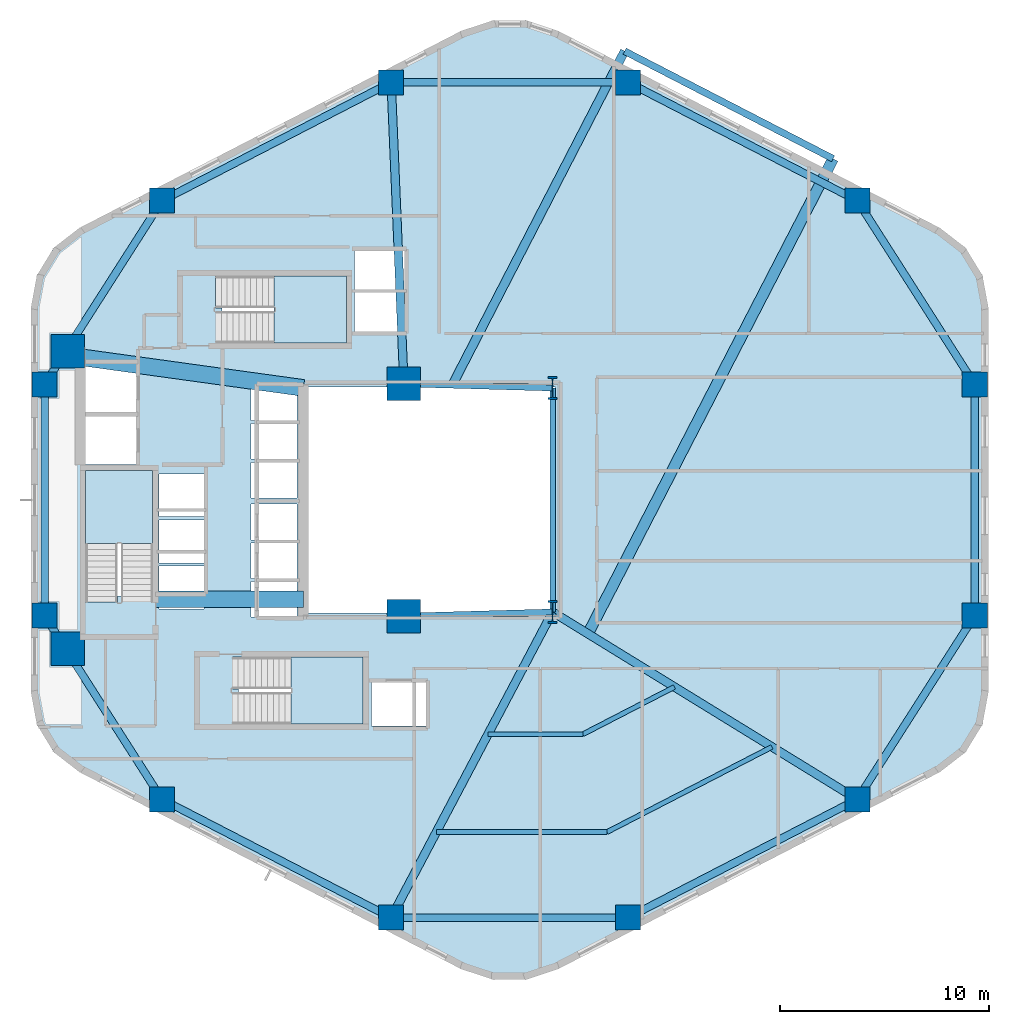
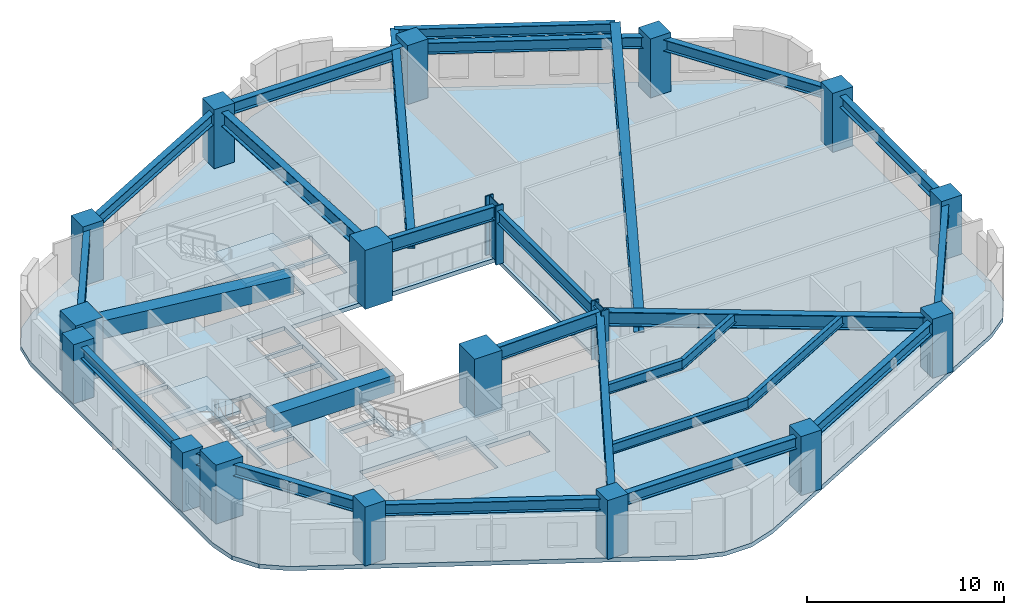
# One storey, part 1 of 6: 27 beams, 18 columns, 4 slabs, 3 elements without a shape of their own.
"""IFC4 building model written with IfcOpenShell, lengths in metres."""

from ifc_helpers import new_model, si_unit, direction, frame, origin, origin_2d, place, context, subcontext, project, spatial, polyline, rectangle, i_section, outline, extrude, material, layer, layer_set, material_profile, profile_set, type_object, element, aggregate, save


model = new_model("IFC4")

# Units and contexts
model_context = context("Model", 3, precision=1e-05, world=origin(), true_north=direction((0.0, 1.0)))
body_context = subcontext(model_context, "Body", "Model", "MODEL_VIEW")
ifc_project = project(units=[si_unit("LENGTHUNIT", "METRE"), si_unit("AREAUNIT", "SQUARE_METRE"), si_unit("VOLUMEUNIT", "CUBIC_METRE"), si_unit("PLANEANGLEUNIT", "RADIAN"), si_unit("MASSUNIT", "GRAM", prefix="KILO"), si_unit("THERMODYNAMICTEMPERATUREUNIT", "KELVIN"), si_unit("POWERUNIT", "WATT")], contexts=[model_context])

# Site, building, storey
site_placement = place(None, origin())
site = spatial("IfcSite", under=ifc_project, at=site_placement, CompositionType="ELEMENT")
building_placement = place(site_placement, origin())
building = spatial("IfcBuilding", under=site, at=building_placement, Name="Skarre Station Tower", CompositionType="ELEMENT")
storey_placement = place(building_placement, frame((0.0, 0.0, 92.699951171875)))
storey = spatial("IfcBuildingStorey", under=building, at=storey_placement, Name="L24", CompositionType="ELEMENT", Elevation=92.699951171875)

# Columns
ifc_material_1 = material(Name="Concrete C60/75", Category="concrete")
ifc_material_profile_1 = material_profile(ifc_material_1, rectangle(XDim=1.199951171875, YDim=1.199951171875, at=origin_2d()), Name="Concrete C60/75")
ifc_profile_set_1 = profile_set([ifc_material_profile_1], Name="Concrete C60/75")
column_type_1 = type_object("IfcColumnType", Name="RC Structural Column RC-COL-1200X1200", PredefinedType="COLUMN", material=ifc_profile_set_1)
for number, where, z_axis, x_axis, name in (
    (1, (54.007080078125, 38.298095703125, 0.0), (0.0, 0.0, 1.0), (1.0, 0.0, 0.0), "L24 Zone 1 Perimeter Column F0C1"),
    (2, (43.06005859375, 43.947021484375, 0.0), (0.0, 0.0, 1.0), (1.0, 0.0, 0.0), "L24 Zone 1 Perimeter Column F0C2"),
    (3, (31.739990234375, 43.947021484375, 0.0), (0.0, 0.0, 1.0), (1.0, 0.0, 0.0), "L24 Zone 1 Perimeter Column F1C1"),
    (4, (20.79296875, 38.298095703125, 0.0), (0.0, 0.0, 1.0), (1.0, 0.0, 0.0), "L24 Zone 1 Perimeter Column F1C2"),
    (5, (15.18701171875, 29.52099609375, 0.0), (0.0, 0.0, 1.0), (1.0, 0.0, 0.0), "L24 Zone 1 Perimeter Column F2C1"),
    (6, (15.18701171875, 18.47900390625, 0.0), (0.0, 0.0, 1.0), (1.0, 0.0, 0.0), "L24 Zone 1 Perimeter Column F2C2"),
    (7, (20.79296875, 9.701904296875, 0.0), (0.0, 0.0, 1.0), (1.0, 0.0, 0.0), "L24 Zone 1 Perimeter Column F3C1"),
    (8, (31.739990234375, 4.052978515625, 0.0), (0.0, 0.0, 1.0), (1.0, 0.0, 0.0), "L24 Zone 1 Perimeter Column F3C2"),
    (9, (43.06005859375, 4.052978515625, 0.0), (0.0, 0.0, 1.0), (1.0, 0.0, 0.0), "L24 Zone 1 Perimeter Column F4C1"),
    (10, (54.007080078125, 9.701904296875, 0.0), (0.0, 0.0, 1.0), (1.0, 0.0, 0.0), "L24 Zone 1 Perimeter Column F4C2"),
    (11, (59.613037109375, 18.47900390625, 0.0), (0.0, 0.0, 1.0), (1.0, 0.0, 0.0), "L24 Zone 1 Perimeter Column F5C1"),
    (12, (59.613037109375, 29.52099609375, 0.0), (0.0, 0.0, 1.0), (1.0, 0.0, 0.0), "L24 Zone 1 Perimeter Column F5C2"),
):
    element("IfcColumn", number, at=place(storey_placement, frame(where, z_axis=z_axis, x_axis=x_axis)), inside=storey, type_object=column_type_1, Name=name, PredefinedType="COLUMN", context=body_context, shape_type="SweptSolid", body=[
        extrude(rectangle(XDim=1.199951171875, YDim=1.199951171875, at=origin_2d()), origin(), (0.0, 0.0, 1.0), 3.650146484375),
    ])
ifc_material_2 = material(Name="Concrete C70/85", Category="concrete")
ifc_material_profile_2 = material_profile(ifc_material_2, rectangle(XDim=1.60009765625, YDim=1.60009765625, at=origin_2d()), Name="Concrete C70/85")
ifc_profile_set_2 = profile_set([ifc_material_profile_2], Name="Concrete C70/85")
column_type_2 = type_object("IfcColumnType", Name="RC Structural Column RC-COL-1600X1600", PredefinedType="COLUMN", material=ifc_profile_set_2)
for number, where, z_axis, x_axis, name in (
    (13, (16.300048828125, 16.89990234375, 0.0), (0.0, 0.0, 1.0), (1.0, 0.0, 0.0), "L24 Core Column CC-SW"),
    (14, (16.300048828125, 31.10009765625, 0.0), (0.0, 0.0, 1.0), (1.0, 0.0, 0.0), "L24 Core Column CC-NW"),
    (15, (32.35009765625, 18.449951171875, 0.0), (0.0, 0.0, 1.0), (1.0, 0.0, 0.0), "L24 Core Column CC-SE"),
    (16, (32.35009765625, 29.550048828125, 0.0), (0.0, 0.0, 1.0), (1.0, 0.0, 0.0), "L24 Core Column CC-NE"),
):
    element("IfcColumn", number, at=place(storey_placement, frame(where, z_axis=z_axis, x_axis=x_axis)), inside=storey, type_object=column_type_2, Name=name, PredefinedType="COLUMN", context=body_context, shape_type="SweptSolid", body=[
        extrude(rectangle(XDim=1.60009765625, YDim=1.60009765625, at=origin_2d()), origin(), (0.0, 0.0, 1.0), 3.650146484375),
    ])
ifc_material_3 = material(Name="Steel ASTM A913 Grade 65", Category="steel")
ifc_material_profile_3 = material_profile(ifc_material_3, i_section(OverallWidth=0.424072265625, OverallDepth=1.092041015625, WebThickness=0.044921875, FlangeThickness=0.08203125, at=origin_2d()), Name="Steel ASTM A913 Grade 65")
ifc_profile_set_3 = profile_set([ifc_material_profile_3], Name="Steel ASTM A913 Grade 65")
column_type_3 = type_object("IfcColumnType", Name="Steel Column W40X593", PredefinedType="COLUMN", material=ifc_profile_set_3)
for number, where, z_axis, x_axis, name in (
    (17, (39.449951171875, 18.64990234375, 0.0), (0.0, 0.0, 1.0), (1.0, 0.0, 0.0), "L24 Atrium Spine Column AC-SE"),
    (18, (39.449951171875, 29.35009765625, 0.0), (0.0, 0.0, 1.0), (1.0, 0.0, 0.0), "L24 Atrium Spine Column AC-NE"),
):
    element("IfcColumn", number, at=place(storey_placement, frame(where, z_axis=z_axis, x_axis=x_axis)), inside=storey, type_object=column_type_3, Name=name, PredefinedType="COLUMN", context=body_context, shape_type="SweptSolid", body=[
        extrude(i_section(OverallWidth=0.424072265625, OverallDepth=1.092041015625, WebThickness=0.044921875, FlangeThickness=0.08203125, at=origin_2d()), origin(), (0.0, 0.0, 1.0), 3.650146484375),
    ])

# Beams
ifc_material_4 = material(Name="Steel ASTM A572 Grade 50", Category="steel")
ifc_material_profile_4 = material_profile(ifc_material_4, i_section(OverallWidth=0.52001953125, OverallDepth=1.360107421875, WebThickness=0.02587890625, FlangeThickness=0.0380859375, at=origin_2d()), Name="Steel ASTM A572 Grade 50")
ifc_profile_set_4 = profile_set([ifc_material_profile_4], Name="Steel ASTM A572 Grade 50")
beam_type_1 = type_object("IfcBeamType", Name="Built-Up Plate Transfer Girder PG1360X520", PredefinedType="USERDEFINED", material=ifc_profile_set_4)
beam_1_placement = place(storey_placement, frame((41.139892578125, 17.611083984375, 2.66015625), z_axis=(0.458667034164, 0.888608210502, 0.0), x_axis=(-0.888608210502, 0.458667034164, 0.0)))
element("IfcBeam", 19, at=beam_1_placement, inside=storey, type_object=beam_type_1, Name="L24 SB-2 Exoskeleton Tier-0 Transfer Girder S1", ObjectType="TRANSFER_GIRDER", PredefinedType="USERDEFINED", context=body_context, shape_type="SweptSolid", body=[
    extrude(i_section(OverallWidth=0.52001953125, OverallDepth=1.360107421875, WebThickness=0.02587890625, FlangeThickness=0.0380859375, at=origin_2d()), origin(), (0.0, 0.0, 1.0), 25.531005859375),
])
ifc_material_profile_5 = material_profile(ifc_material_2, rectangle(XDim=0.800048828125, YDim=1.10009765625, at=origin_2d()), Name="Concrete C70/85")
ifc_profile_set_5 = profile_set([ifc_material_profile_5], Name="Concrete C70/85")
beam_type_2 = type_object("IfcBeamType", Name="RC Core Coupling Lintel 800x1100", PredefinedType="LINTEL", material=ifc_profile_set_5)
beam_2_placement = place(storey_placement, frame((20.489990234375, 19.260009765625, 2.7900390625), z_axis=(1.0, 0.0, 0.0), x_axis=(0.0, 1.0, 0.0)))
element("IfcBeam", 20, at=beam_2_placement, inside=storey, type_object=beam_type_2, Name="L24 South Core Coupling Lintel", PredefinedType="LINTEL", context=body_context, shape_type="SweptSolid", body=[
    extrude(rectangle(XDim=0.800048828125, YDim=1.10009765625, at=origin_2d()), origin(), (0.0, 0.0, 1.0), 7.06005859375),
])
beam_3_placement = place(storey_placement, frame((17.050048828125, 30.800048828125, 2.7900390625), z_axis=(0.990599723633, -0.136792498109, 0.0), x_axis=(0.136792498109, 0.990599723633, 0.0)))
element("IfcBeam", 21, at=beam_3_placement, inside=storey, type_object=beam_type_2, Name="L24 North Core Coupling Lintel", PredefinedType="LINTEL", context=body_context, shape_type="SweptSolid", body=[
    extrude(rectangle(XDim=0.800048828125, YDim=1.10009765625, at=origin_2d()), origin(), (0.0, 0.0, 1.0), 10.599609375),
])
ifc_material_5 = material(Name="Steel ASTM A992 Grade 50", Category="steel")
ifc_material_profile_6 = material_profile(ifc_material_5, i_section(OverallWidth=0.26806640625, OverallDepth=0.77001953125, WebThickness=0.01611328125, FlangeThickness=0.02490234375, at=origin_2d()), Name="Steel ASTM A992 Grade 50")
ifc_profile_set_6 = profile_set([ifc_material_profile_6], Name="Steel ASTM A992 Grade 50")
beam_type_3 = type_object("IfcBeamType", Name="Steel Beam W30X132", PredefinedType="BEAM", material=ifc_profile_set_6)
beam_4_placement = place(storey_placement, frame((39.449951171875, 18.64990234375, 2.955078125), z_axis=(0.0, 1.0, 0.0), x_axis=(-1.0, 0.0, 0.0)))
element("IfcBeam", 22, at=beam_4_placement, inside=storey, type_object=beam_type_3, Name="L24 Atrium East Edge Girder", PredefinedType="BEAM", context=body_context, shape_type="SweptSolid", body=[
    extrude(i_section(OverallWidth=0.26806640625, OverallDepth=0.77001953125, WebThickness=0.01611328125, FlangeThickness=0.02490234375, at=origin_2d()), origin(), (0.0, 0.0, 1.0), 10.7001953125),
])
ifc_material_profile_7 = material_profile(ifc_material_5, i_section(OverallWidth=0.2919921875, OverallDepth=0.85888671875, WebThickness=0.01708984375, FlangeThickness=0.031005859375, at=origin_2d()), Name="Steel ASTM A992 Grade 50")
ifc_profile_set_7 = profile_set([ifc_material_profile_7], Name="Steel ASTM A992 Grade 50")
beam_type_4 = type_object("IfcBeamType", Name="Steel Beam W33X169", PredefinedType="BEAM", material=ifc_profile_set_7)
for number, where, z_axis, x_axis, name in (
    (23, (32.35009765625, 18.449951171875, 2.9111328125), (0.999603666405, 0.028151556095, 0.0), (-0.028151556095, 0.999603666405, 0.0), "L24 Atrium South Edge Girder"),
    (24, (32.35009765625, 29.550048828125, 2.9111328125), (0.999603666405, -0.028151556095, 0.0), (0.028151556095, 0.999603666405, 0.0), "L24 Atrium North Edge Girder"),
):
    element("IfcBeam", number, at=place(storey_placement, frame(where, z_axis=z_axis, x_axis=x_axis)), inside=storey, type_object=beam_type_4, Name=name, PredefinedType="BEAM", context=body_context, shape_type="SweptSolid", body=[
        extrude(i_section(OverallWidth=0.2919921875, OverallDepth=0.85888671875, WebThickness=0.01708984375, FlangeThickness=0.031005859375, at=origin_2d()), origin(), (0.0, 0.0, 1.0), 7.102783203125),
    ])
ifc_material_profile_8 = material_profile(ifc_material_5, i_section(OverallWidth=0.40087890625, OverallDepth=0.876953125, WebThickness=0.02197265625, FlangeThickness=0.0400390625, at=origin_2d()), Name="Steel ASTM A992 Grade 50")
ifc_profile_set_8 = profile_set([ifc_material_profile_8], Name="Steel ASTM A992 Grade 50")
beam_type_5 = type_object("IfcBeamType", Name="Steel Beam W33X263", PredefinedType="BEAM", material=ifc_profile_set_8)
beam_5_placement = place(storey_placement, frame((32.35009765625, 29.550048828125, 2.902099609375), z_axis=(-0.042339479433, 0.999103282189, 0.0), x_axis=(-0.999103282189, -0.042339479433, 0.0)))
element("IfcBeam", 25, at=beam_5_placement, inside=storey, type_object=beam_type_5, Name="L24 Radial Floor Girder F1C1", PredefinedType="BEAM", context=body_context, shape_type="SweptSolid", body=[
    extrude(i_section(OverallWidth=0.40087890625, OverallDepth=0.876953125, WebThickness=0.02197265625, FlangeThickness=0.0400390625, at=origin_2d()), origin(), (0.0, 0.0, 1.0), 14.409912109375),
])
beam_6_placement = place(storey_placement, frame((39.449951171875, 18.64990234375, 2.902099609375), z_axis=(-0.467044240884, -0.884233949279, 0.0), x_axis=(0.884233949279, -0.467044240884, 0.0)))
element("IfcBeam", 26, at=beam_6_placement, inside=storey, type_object=beam_type_5, Name="L24 Radial Floor Girder F3C2", PredefinedType="BEAM", context=body_context, shape_type="SweptSolid", body=[
    extrude(i_section(OverallWidth=0.40087890625, OverallDepth=0.876953125, WebThickness=0.02197265625, FlangeThickness=0.0400390625, at=origin_2d()), origin(), (0.0, 0.0, 1.0), 16.508056640625),
])
beam_7_placement = place(storey_placement, frame((39.449951171875, 18.64990234375, 2.902099609375), z_axis=(0.851925565957, -0.523662897358, 0.0), x_axis=(0.523662897358, 0.851925565957, 0.0)))
element("IfcBeam", 27, at=beam_7_placement, inside=storey, type_object=beam_type_5, Name="L24 Radial Floor Girder F4C2", PredefinedType="BEAM", context=body_context, shape_type="SweptSolid", body=[
    extrude(i_section(OverallWidth=0.40087890625, OverallDepth=0.876953125, WebThickness=0.02197265625, FlangeThickness=0.0400390625, at=origin_2d()), origin(), (0.0, 0.0, 1.0), 17.08740234375),
])
ifc_material_profile_9 = material_profile(ifc_material_5, i_section(OverallWidth=0.22802734375, OverallDepth=0.60791015625, WebThickness=0.010986328125, FlangeThickness=0.01708984375, at=origin_2d()), Name="Steel ASTM A992 Grade 50")
ifc_profile_set_9 = profile_set([ifc_material_profile_9], Name="Steel ASTM A992 Grade 50")
beam_type_6 = type_object("IfcBeamType", Name="Steel Joist W24X76", PredefinedType="JOIST", material=ifc_profile_set_9)
beam_8_placement = place(storey_placement, frame((36.365966796875, 12.81103515625, 3.0361328125), z_axis=(1.0, 0.0, 0.0), x_axis=(0.0, 1.0, 0.0)))
element("IfcBeam", 28, at=beam_8_placement, inside=storey, type_object=beam_type_6, Name="L24 Secondary Floor Joist 1", PredefinedType="JOIST", context=body_context, shape_type="SweptSolid", body=[
    extrude(i_section(OverallWidth=0.22802734375, OverallDepth=0.60791015625, WebThickness=0.010986328125, FlangeThickness=0.01708984375, at=origin_2d()), origin(), (0.0, 0.0, 1.0), 4.528076171875),
])
beam_9_placement = place(storey_placement, frame((33.89892578125, 8.139892578125, 3.0361328125), z_axis=(1.0, 0.0, 0.0), x_axis=(0.0, 1.0, 0.0)))
element("IfcBeam", 29, at=beam_9_placement, inside=storey, type_object=beam_type_6, Name="L24 Secondary Floor Joist 2", PredefinedType="JOIST", context=body_context, shape_type="SweptSolid", body=[
    extrude(i_section(OverallWidth=0.22802734375, OverallDepth=0.60791015625, WebThickness=0.010986328125, FlangeThickness=0.01708984375, at=origin_2d()), origin(), (0.0, 0.0, 1.0), 8.150146484375),
])
beam_10_placement = place(storey_placement, frame((40.89404296875, 12.81103515625, 3.0361328125), z_axis=(0.888626519249, 0.458631561591, 0.0), x_axis=(-0.458631561591, 0.888626519249, 0.0)))
element("IfcBeam", 30, at=beam_10_placement, inside=storey, type_object=beam_type_6, Name="L24 Secondary Floor Joist 3", PredefinedType="JOIST", context=body_context, shape_type="SweptSolid", body=[
    extrude(i_section(OverallWidth=0.22802734375, OverallDepth=0.60791015625, WebThickness=0.010986328125, FlangeThickness=0.01708984375, at=origin_2d()), origin(), (0.0, 0.0, 1.0), 4.927734375),
])
beam_11_placement = place(storey_placement, frame((42.049072265625, 8.139892578125, 3.0361328125), z_axis=(0.88866227096, 0.458562283853, 0.0), x_axis=(-0.458562283853, 0.88866227096, 0.0)))
element("IfcBeam", 31, at=beam_11_placement, inside=storey, type_object=beam_type_6, Name="L24 Secondary Floor Joist 4", PredefinedType="JOIST", context=body_context, shape_type="SweptSolid", body=[
    extrude(i_section(OverallWidth=0.22802734375, OverallDepth=0.60791015625, WebThickness=0.010986328125, FlangeThickness=0.01708984375, at=origin_2d()), origin(), (0.0, 0.0, 1.0), 8.869384765625),
])
ifc_material_profile_10 = material_profile(ifc_material_3, i_section(OverallWidth=0.424072265625, OverallDepth=1.092041015625, WebThickness=0.044921875, FlangeThickness=0.08203125, at=origin_2d()), Name="Steel ASTM A913 Grade 65")
ifc_profile_set_10 = profile_set([ifc_material_profile_10], Name="Steel ASTM A913 Grade 65")
beam_type_7 = type_object("IfcBeamType", Name="Steel Medium-Span Transfer Girder W40X593", PredefinedType="USERDEFINED", material=ifc_profile_set_10)
beam_12_placement = place(storey_placement, frame((34.656005859375, 29.485107421875, 2.7939453125), z_axis=(0.458626985737, 0.888628880891, 0.0), x_axis=(-0.888628880891, 0.458626985737, 0.0)))
element("IfcBeam", 32, at=beam_12_placement, inside=storey, type_object=beam_type_7, Name="L24 SB-2 Exoskeleton Tier-0 Transfer Girder S2", ObjectType="TRANSFER_GIRDER", PredefinedType="USERDEFINED", context=body_context, shape_type="SweptSolid", body=[
    extrude(i_section(OverallWidth=0.424072265625, OverallDepth=1.092041015625, WebThickness=0.044921875, FlangeThickness=0.08203125, at=origin_2d()), origin(), (0.0, 0.0, 1.0), 17.953369140625),
])
ifc_material_profile_11 = material_profile(ifc_material_5, i_section(OverallWidth=0.327880859375, OverallDepth=0.6279296875, WebThickness=0.01708984375, FlangeThickness=0.028076171875, at=origin_2d()), Name="Steel ASTM A992 Grade 50")
ifc_profile_set_11 = profile_set([ifc_material_profile_11], Name="Steel ASTM A992 Grade 50")
beam_type_8 = type_object("IfcBeamType", Name="Steel Spandrel W24X146", PredefinedType="SPANDREL", material=ifc_profile_set_11)
beam_13_placement = place(storey_placement, frame((52.85009765625, 40.298095703125, 3.026123046875), z_axis=(-0.888616361585, 0.458651242148, 0.0), x_axis=(-0.458651242148, -0.888616361585, 0.0)))
element("IfcBeam", 33, at=beam_13_placement, inside=storey, type_object=beam_type_8, Name="L24 SB-2 Exoskeleton Tier-0 Header Beam", PredefinedType="SPANDREL", context=body_context, shape_type="SweptSolid", body=[
    extrude(i_section(OverallWidth=0.327880859375, OverallDepth=0.6279296875, WebThickness=0.01708984375, FlangeThickness=0.028076171875, at=origin_2d()), origin(), (0.0, 0.0, 1.0), 11.208740234375),
])
ifc_material_profile_12 = material_profile(ifc_material_5, i_section(OverallWidth=0.35791015625, OverallDepth=0.7060546875, WebThickness=0.01806640625, FlangeThickness=0.030029296875, at=origin_2d()), Name="Steel ASTM A992 Grade 50")
ifc_profile_set_12 = profile_set([ifc_material_profile_12], Name="Steel ASTM A992 Grade 50")
beam_type_9 = type_object("IfcBeamType", Name="Steel Spandrel W27X178", PredefinedType="SPANDREL", material=ifc_profile_set_12)
beam_14_placement = place(storey_placement, frame((54.007080078125, 38.298095703125, 2.987060546875), z_axis=(-0.888658695823, 0.458569212158, 0.0), x_axis=(-0.458569212158, -0.888658695823, 0.0)))
element("IfcBeam", 34, at=beam_14_placement, inside=storey, type_object=beam_type_9, Name="L24 Facet Spandrel Beam 1", PredefinedType="SPANDREL", context=body_context, shape_type="SweptSolid", body=[
    extrude(i_section(OverallWidth=0.35791015625, OverallDepth=0.7060546875, WebThickness=0.01806640625, FlangeThickness=0.030029296875, at=origin_2d()), origin(), (0.0, 0.0, 1.0), 12.318603515625),
])
beam_15_placement = place(storey_placement, frame((43.06005859375, 43.947021484375, 2.987060546875), z_axis=(-1.0, 0.0, 0.0), x_axis=(0.0, -1.0, 0.0)))
element("IfcBeam", 35, at=beam_15_placement, inside=storey, type_object=beam_type_9, Name="L24 Facet Spandrel Beam 2", PredefinedType="SPANDREL", context=body_context, shape_type="SweptSolid", body=[
    extrude(i_section(OverallWidth=0.35791015625, OverallDepth=0.7060546875, WebThickness=0.01806640625, FlangeThickness=0.030029296875, at=origin_2d()), origin(), (0.0, 0.0, 1.0), 11.320068359375),
])
beam_16_placement = place(storey_placement, frame((31.739990234375, 43.947021484375, 2.987060546875), z_axis=(-0.888658695823, -0.458569212158, 0.0), x_axis=(0.458569212158, -0.888658695823, 0.0)))
element("IfcBeam", 36, at=beam_16_placement, inside=storey, type_object=beam_type_9, Name="L24 Facet Spandrel Beam 3", PredefinedType="SPANDREL", context=body_context, shape_type="SweptSolid", body=[
    extrude(i_section(OverallWidth=0.35791015625, OverallDepth=0.7060546875, WebThickness=0.01806640625, FlangeThickness=0.030029296875, at=origin_2d()), origin(), (0.0, 0.0, 1.0), 12.318603515625),
])
beam_17_placement = place(storey_placement, frame((20.79296875, 38.298095703125, 2.987060546875), z_axis=(-0.538277829225, -0.842767452246, 0.0), x_axis=(0.842767452246, -0.538277829225, 0.0)))
element("IfcBeam", 37, at=beam_17_placement, inside=storey, type_object=beam_type_9, Name="L24 Facet Spandrel Beam 4", PredefinedType="SPANDREL", context=body_context, shape_type="SweptSolid", body=[
    extrude(i_section(OverallWidth=0.35791015625, OverallDepth=0.7060546875, WebThickness=0.01806640625, FlangeThickness=0.030029296875, at=origin_2d()), origin(), (0.0, 0.0, 1.0), 10.41455078125),
])
beam_18_placement = place(storey_placement, frame((15.18701171875, 29.52099609375, 2.987060546875), z_axis=(0.0, -1.0, 0.0), x_axis=(1.0, 0.0, 0.0)))
element("IfcBeam", 38, at=beam_18_placement, inside=storey, type_object=beam_type_9, Name="L24 Facet Spandrel Beam 5", PredefinedType="SPANDREL", context=body_context, shape_type="SweptSolid", body=[
    extrude(i_section(OverallWidth=0.35791015625, OverallDepth=0.7060546875, WebThickness=0.01806640625, FlangeThickness=0.030029296875, at=origin_2d()), origin(), (0.0, 0.0, 1.0), 11.0419921875),
])
beam_19_placement = place(storey_placement, frame((15.18701171875, 18.47900390625, 2.987060546875), z_axis=(0.538277829225, -0.842767452246, 0.0), x_axis=(0.842767452246, 0.538277829225, 0.0)))
element("IfcBeam", 39, at=beam_19_placement, inside=storey, type_object=beam_type_9, Name="L24 Facet Spandrel Beam 6", PredefinedType="SPANDREL", context=body_context, shape_type="SweptSolid", body=[
    extrude(i_section(OverallWidth=0.35791015625, OverallDepth=0.7060546875, WebThickness=0.01806640625, FlangeThickness=0.030029296875, at=origin_2d()), origin(), (0.0, 0.0, 1.0), 10.41455078125),
])
beam_20_placement = place(storey_placement, frame((20.79296875, 9.701904296875, 2.987060546875), z_axis=(0.888658695823, -0.458569212158, 0.0), x_axis=(0.458569212158, 0.888658695823, 0.0)))
element("IfcBeam", 40, at=beam_20_placement, inside=storey, type_object=beam_type_9, Name="L24 Facet Spandrel Beam 7", PredefinedType="SPANDREL", context=body_context, shape_type="SweptSolid", body=[
    extrude(i_section(OverallWidth=0.35791015625, OverallDepth=0.7060546875, WebThickness=0.01806640625, FlangeThickness=0.030029296875, at=origin_2d()), origin(), (0.0, 0.0, 1.0), 12.318603515625),
])
beam_21_placement = place(storey_placement, frame((31.739990234375, 4.052978515625, 2.987060546875), z_axis=(1.0, 0.0, 0.0), x_axis=(0.0, 1.0, 0.0)))
element("IfcBeam", 41, at=beam_21_placement, inside=storey, type_object=beam_type_9, Name="L24 Facet Spandrel Beam 8", PredefinedType="SPANDREL", context=body_context, shape_type="SweptSolid", body=[
    extrude(i_section(OverallWidth=0.35791015625, OverallDepth=0.7060546875, WebThickness=0.01806640625, FlangeThickness=0.030029296875, at=origin_2d()), origin(), (0.0, 0.0, 1.0), 11.320068359375),
])
beam_22_placement = place(storey_placement, frame((43.06005859375, 4.052978515625, 2.987060546875), z_axis=(0.888658695823, 0.458569212158, 0.0), x_axis=(-0.458569212158, 0.888658695823, 0.0)))
element("IfcBeam", 42, at=beam_22_placement, inside=storey, type_object=beam_type_9, Name="L24 Facet Spandrel Beam 9", PredefinedType="SPANDREL", context=body_context, shape_type="SweptSolid", body=[
    extrude(i_section(OverallWidth=0.35791015625, OverallDepth=0.7060546875, WebThickness=0.01806640625, FlangeThickness=0.030029296875, at=origin_2d()), origin(), (0.0, 0.0, 1.0), 12.318603515625),
])
beam_23_placement = place(storey_placement, frame((54.007080078125, 9.701904296875, 2.987060546875), z_axis=(0.538277829225, 0.842767452246, 0.0), x_axis=(-0.842767452246, 0.538277829225, 0.0)))
element("IfcBeam", 43, at=beam_23_placement, inside=storey, type_object=beam_type_9, Name="L24 Facet Spandrel Beam 10", PredefinedType="SPANDREL", context=body_context, shape_type="SweptSolid", body=[
    extrude(i_section(OverallWidth=0.35791015625, OverallDepth=0.7060546875, WebThickness=0.01806640625, FlangeThickness=0.030029296875, at=origin_2d()), origin(), (0.0, 0.0, 1.0), 10.41455078125),
])
beam_24_placement = place(storey_placement, frame((59.613037109375, 18.47900390625, 2.987060546875), z_axis=(0.0, 1.0, 0.0), x_axis=(-1.0, 0.0, 0.0)))
element("IfcBeam", 44, at=beam_24_placement, inside=storey, type_object=beam_type_9, Name="L24 Facet Spandrel Beam 11", PredefinedType="SPANDREL", context=body_context, shape_type="SweptSolid", body=[
    extrude(i_section(OverallWidth=0.35791015625, OverallDepth=0.7060546875, WebThickness=0.01806640625, FlangeThickness=0.030029296875, at=origin_2d()), origin(), (0.0, 0.0, 1.0), 11.0419921875),
])
beam_25_placement = place(storey_placement, frame((59.613037109375, 29.52099609375, 2.987060546875), z_axis=(-0.538277829225, 0.842767452246, 0.0), x_axis=(-0.842767452246, -0.538277829225, 0.0)))
element("IfcBeam", 45, at=beam_25_placement, inside=storey, type_object=beam_type_9, Name="L24 Facet Spandrel Beam 12", PredefinedType="SPANDREL", context=body_context, shape_type="SweptSolid", body=[
    extrude(i_section(OverallWidth=0.35791015625, OverallDepth=0.7060546875, WebThickness=0.01806640625, FlangeThickness=0.030029296875, at=origin_2d()), origin(), (0.0, 0.0, 1.0), 10.41455078125),
])

# Stair, slab
ifc_material_6 = material(Name="Concrete C40/50", Category="concrete")
stair_type_1 = type_object("IfcStairType", Name="Reinforced Concrete Exit Stair ST-1", PredefinedType="HALF_TURN_STAIR", material=ifc_material_6)
stair_1_placement = place(storey_placement, origin())
stair_1 = element("IfcStair", 46, at=stair_1_placement, inside=storey, type_object=stair_type_1, Name="L24 Core Exit Stair ST-1", PredefinedType="HALF_TURN_STAIR")
ifc_layer_1 = layer(ifc_material_6, 0.219970703125, Name="Concrete C40/50")
ifc_layer_set_1 = layer_set([ifc_layer_1], Name="Concrete C40/50")
slab_type_1 = type_object("IfcSlabType", Name="Reinforced Concrete Stair & Ramp Landing 220", PredefinedType="LANDING", material=ifc_layer_set_1)
slab_1_placement = place(storey_placement, frame((0.0, 0.0, 1.625)))
slab_1 = element("IfcSlab", 47, at=slab_1_placement, type_object=slab_type_1, Name="ST-1 landing 1", PredefinedType="LANDING", context=body_context, shape_type="SweptSolid", body=[
    extrude(outline(polyline([(20.35009765625, 21.919921875), (20.35009765625, 25.39990234375), (17.14990234375, 25.39990234375), (17.14990234375, 21.919921875), (20.35009765625, 21.919921875)])), origin(), (0.0, 0.0, 1.0), 0.199951171875),
])
aggregate(stair_1, [slab_1])

stair_type_2 = type_object("IfcStairType", Name="Reinforced Concrete Exit Stair ST-2", PredefinedType="HALF_TURN_STAIR", material=ifc_material_6)
stair_2_placement = place(storey_placement, origin())
stair_2 = element("IfcStair", 48, at=stair_2_placement, inside=storey, type_object=stair_type_2, Name="L24 Core Exit Stair ST-2", PredefinedType="HALF_TURN_STAIR")
slab_2_placement = place(storey_placement, frame((0.0, 0.0, 1.625)))
slab_2 = element("IfcSlab", 49, at=slab_2_placement, type_object=slab_type_1, Name="ST-2 landing 1", PredefinedType="LANDING", context=body_context, shape_type="SweptSolid", body=[
    extrude(outline(polyline([(26.949951171875, 13.300048828125), (30.39990234375, 13.300048828125), (30.39990234375, 16.5), (26.949951171875, 16.5), (26.949951171875, 13.300048828125)])), origin(), (0.0, 0.0, 1.0), 0.199951171875),
])
aggregate(stair_2, [slab_2])

stair_type_3 = type_object("IfcStairType", Name="Reinforced Concrete Exit Stair ST-3", PredefinedType="HALF_TURN_STAIR", material=ifc_material_6)
stair_3_placement = place(storey_placement, origin())
stair_3 = element("IfcStair", 50, at=stair_3_placement, inside=storey, type_object=stair_type_3, Name="L24 Core Exit Stair ST-3", PredefinedType="HALF_TURN_STAIR")
slab_3_placement = place(storey_placement, frame((0.0, 0.0, 1.625)))
slab_3 = element("IfcSlab", 51, at=slab_3_placement, type_object=slab_type_1, Name="ST-3 landing 1", PredefinedType="LANDING", context=body_context, shape_type="SweptSolid", body=[
    extrude(outline(polyline([(26.14990234375, 31.5), (29.60009765625, 31.5), (29.60009765625, 34.699951171875), (26.14990234375, 34.699951171875), (26.14990234375, 31.5)])), origin(), (0.0, 0.0, 1.0), 0.199951171875),
])
aggregate(stair_3, [slab_3])

# Slab
ifc_material_7 = material(Name="Concrete C50/60", Category="concrete")
ifc_layer_2 = layer(ifc_material_7, 0.260009765625, Name="Concrete C50/60")
ifc_layer_set_2 = layer_set([ifc_layer_2], Name="Concrete C50/60")
slab_type_2 = type_object("IfcSlabType", Name="Tower Typical Composite Floor Slab 260", PredefinedType="FLOOR", material=ifc_layer_set_2)
slab_4_placement = place(storey_placement, frame((0.0, 0.0, -0.260009765625)))
element("IfcSlab", 52, at=slab_4_placement, inside=storey, type_object=slab_type_2, Name="L24 Zone 1 Structural Floor Slab", PredefinedType="FLOOR", context=body_context, shape_type="SweptSolid", body=[
    extrude(outline(polyline([(60.262939453125, 33.201904296875), (59.98193359375, 34.72412109375), (59.177001953125, 36.044921875), (57.9541015625, 36.991943359375), (39.708984375, 46.407958984375), (38.196044921875, 46.906005859375), (36.60400390625, 46.906005859375), (35.091064453125, 46.407958984375), (16.845947265625, 36.991943359375), (15.623046875, 36.044921875), (14.818115234375, 34.72412109375), (14.537109375, 33.201904296875), (14.537109375, 14.798095703125), (14.818115234375, 13.27587890625), (15.623046875, 11.955078125), (16.845947265625, 11.008056640625), (35.091064453125, 1.592041015625), (36.60400390625, 1.093994140625), (38.196044921875, 1.093994140625), (39.708984375, 1.592041015625), (57.9541015625, 11.008056640625), (59.177001953125, 11.955078125), (59.98193359375, 13.27587890625), (60.262939453125, 14.798095703125), (60.262939453125, 33.201904296875)]), holes=[polyline([(18.669921875, 19.419921875), (18.669921875, 19.123046875), (17.14990234375, 19.123046875), (17.14990234375, 25.39990234375), (20.35009765625, 25.39990234375), (20.35009765625, 19.419921875), (18.669921875, 19.419921875)]), polyline([(24.449951171875, 14.97998046875), (24.153076171875, 14.97998046875), (24.153076171875, 16.5), (30.39990234375, 16.5), (30.39990234375, 13.300048828125), (24.449951171875, 13.300048828125), (24.449951171875, 14.97998046875)]), polyline([(23.64990234375, 33.179931640625), (23.35302734375, 33.179931640625), (23.35302734375, 34.699951171875), (29.60009765625, 34.699951171875), (29.60009765625, 31.5), (23.64990234375, 31.5), (23.64990234375, 33.179931640625)]), polyline([(17.14990234375, 28.0), (19.550048828125, 28.0), (19.550048828125, 25.699951171875), (17.14990234375, 25.699951171875), (17.14990234375, 28.0)]), polyline([(17.14990234375, 30.5), (19.550048828125, 30.5), (19.550048828125, 28.199951171875), (17.14990234375, 28.199951171875), (17.14990234375, 30.5)]), polyline([(30.800048828125, 15.300048828125), (33.39990234375, 15.300048828125), (33.39990234375, 13.199951171875), (30.800048828125, 13.199951171875), (30.800048828125, 15.300048828125)]), polyline([(25.050048828125, 20.10009765625), (27.25, 20.10009765625), (27.25, 18.39990234375), (25.050048828125, 18.39990234375), (25.050048828125, 20.10009765625)]), polyline([(25.050048828125, 21.949951171875), (27.25, 21.949951171875), (27.25, 20.25), (25.050048828125, 20.25), (25.050048828125, 21.949951171875)]), polyline([(25.050048828125, 23.800048828125), (27.25, 23.800048828125), (27.25, 22.10009765625), (25.050048828125, 22.10009765625), (25.050048828125, 23.800048828125)]), polyline([(25.050048828125, 25.800048828125), (27.25, 25.800048828125), (27.25, 24.10009765625), (25.050048828125, 24.10009765625), (25.050048828125, 25.800048828125)]), polyline([(25.050048828125, 27.64990234375), (27.25, 27.64990234375), (27.25, 25.949951171875), (25.050048828125, 25.949951171875), (25.050048828125, 27.64990234375)]), polyline([(25.050048828125, 29.5), (27.25, 29.5), (27.25, 27.800048828125), (25.050048828125, 27.800048828125), (25.050048828125, 29.5)]), polyline([(20.64990234375, 20.85009765625), (22.800048828125, 20.85009765625), (22.800048828125, 18.800048828125), (20.64990234375, 18.800048828125), (20.64990234375, 20.85009765625)]), polyline([(20.64990234375, 23.050048828125), (22.800048828125, 23.050048828125), (22.800048828125, 21.0), (20.64990234375, 21.0), (20.64990234375, 23.050048828125)]), polyline([(20.64990234375, 25.25), (22.800048828125, 25.25), (22.800048828125, 23.199951171875), (20.64990234375, 23.199951171875), (20.64990234375, 25.25)]), polyline([(30.0, 33.89990234375), (32.39990234375, 33.89990234375), (32.39990234375, 32.050048828125), (30.0, 32.050048828125), (30.0, 33.89990234375)]), polyline([(30.0, 35.89990234375), (32.39990234375, 35.89990234375), (32.39990234375, 34.050048828125), (30.0, 34.050048828125), (30.0, 35.89990234375)]), polyline([(27.60009765625, 29.39990234375), (39.60009765625, 29.39990234375), (39.60009765625, 18.60009765625), (27.60009765625, 18.60009765625), (27.60009765625, 29.39990234375)])]), origin(), (0.0, 0.0, 1.0), 0.260009765625),
])

save(model, "model.ifc")
